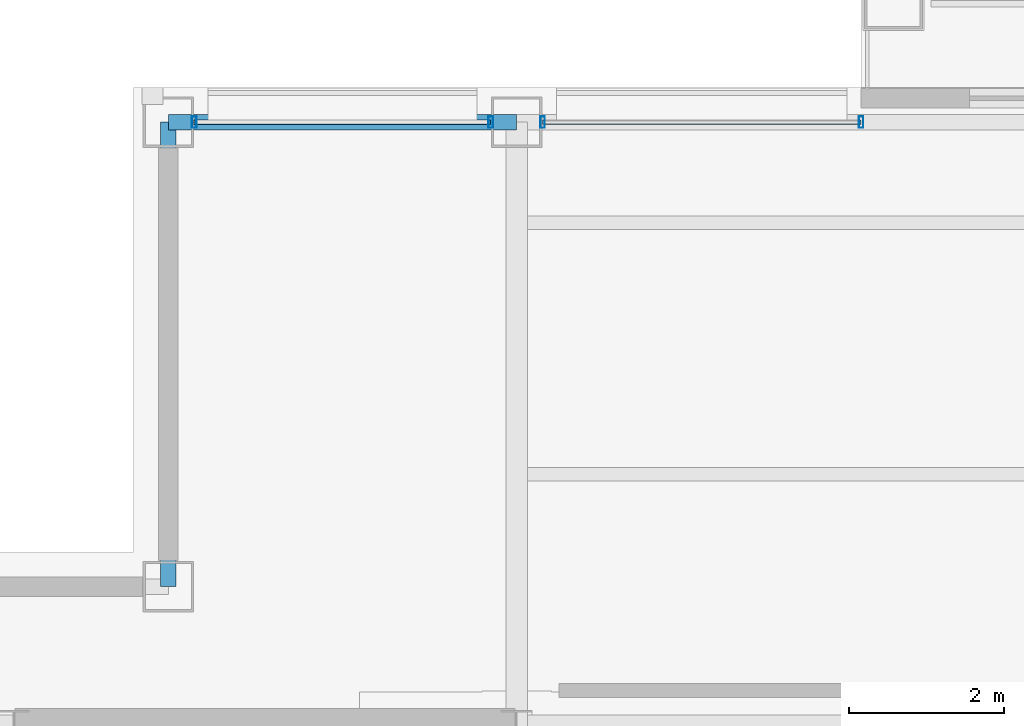
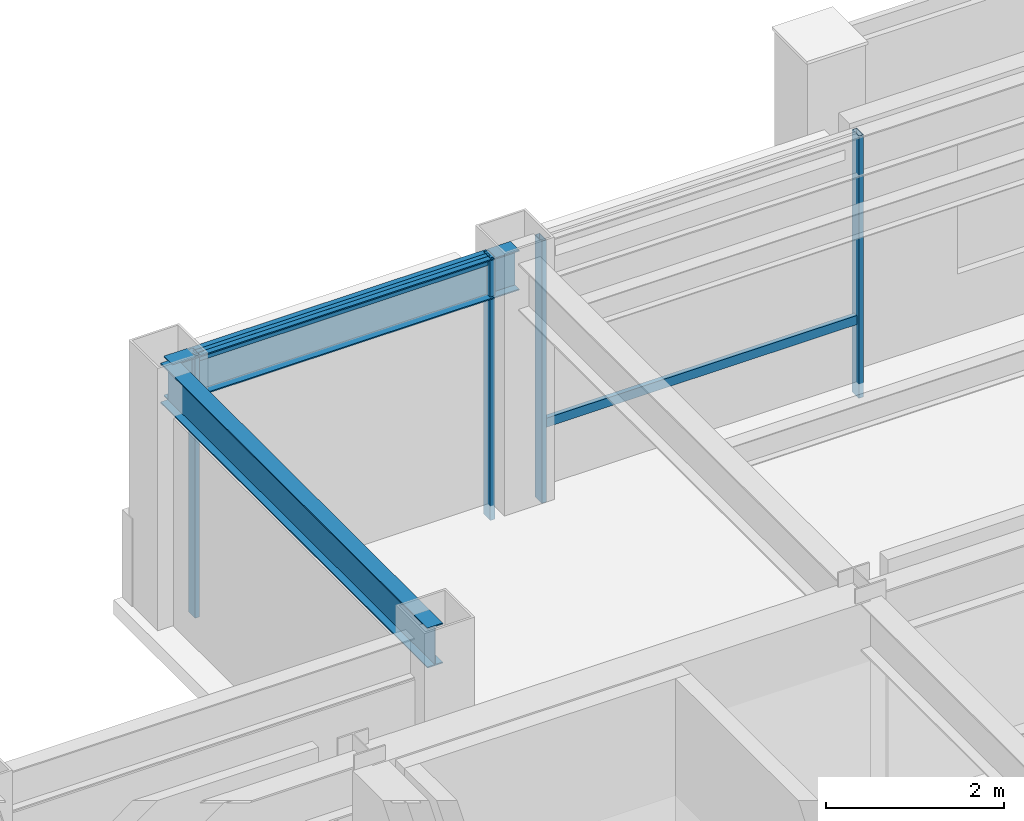
# One storey, part 14 of 24: 6 members, 2 beams, 2 elements without a shape of their own.
"""IFC4 building model written with IfcOpenShell, lengths in metres."""

from ifc_helpers import new_model, si_unit, direction, frame, origin, origin_2d, place, context, subcontext, project, spatial, hollow_rectangle, i_section, extrude, material, layer, layer_set, material_profile, profile_set, type_object, element, aggregate, save


model = new_model("IFC4")

# Units and contexts
model_context = context("Model", 3, precision=1e-05, world=origin(), true_north=direction((0.0, 1.0)))
body_context = subcontext(model_context, "Body", "Model", "MODEL_VIEW")
ifc_project = project(units=[si_unit("LENGTHUNIT", "METRE"), si_unit("AREAUNIT", "SQUARE_METRE"), si_unit("VOLUMEUNIT", "CUBIC_METRE"), si_unit("PLANEANGLEUNIT", "RADIAN"), si_unit("MASSUNIT", "GRAM", prefix="KILO")], contexts=[model_context])

# Site, building, storey
site_placement = place(None, origin())
site = spatial("IfcSite", under=ifc_project, at=site_placement, CompositionType="ELEMENT")
building_placement = place(site_placement, origin())
building = spatial("IfcBuilding", under=site, at=building_placement, Name="Brelmoor Portico Tower", CompositionType="ELEMENT")
storey_placement = place(building_placement, frame((0.0, 0.0, 229.199951171875)))
storey = spatial("IfcBuildingStorey", under=building, at=storey_placement, Name="L60", CompositionType="ELEMENT", Elevation=229.199951171875)

# Beams
ifc_material_1 = material(Name="Steel Q355B", Category="steel")
ifc_material_profile_1 = material_profile(ifc_material_1, i_section(OverallWidth=0.199951171875, OverallDepth=0.550048828125, WebThickness=0.010009765625, FlangeThickness=0.01611328125, at=origin_2d()), Name="HN 550x200x10x16")
ifc_profile_set_1 = profile_set([ifc_material_profile_1], Name="Steel Q355B")
beam_type = type_object("IfcBeamType", Name="BM-SP-550", PredefinedType="SPANDREL", material=ifc_profile_set_1)
beam_1_placement = place(storey_placement, frame((-12.550048828125, 17.550048828125, 3.125), z_axis=(1.0, 0.0, 0.0), x_axis=(0.0, 1.0, 0.0)))
element("IfcBeam", 1, at=beam_1_placement, inside=storey, type_object=beam_type, Name="L60 Perimeter Spandrel Beam SP-08", PredefinedType="SPANDREL", context=body_context, shape_type="SweptSolid", body=[
    extrude(i_section(OverallWidth=0.199951171875, OverallDepth=0.550048828125, WebThickness=0.010009765625, FlangeThickness=0.01611328125, at=origin_2d()), origin(), (0.0, 0.0, 1.0), 4.5),
])
beam_2_placement = place(storey_placement, frame((-12.550048828125, 11.550048828125, 3.125), z_axis=(0.0, 1.0, 0.0), x_axis=(-1.0, 0.0, 0.0)))
element("IfcBeam", 2, at=beam_2_placement, inside=storey, type_object=beam_type, Name="L60 Perimeter Spandrel Beam SP-15", PredefinedType="SPANDREL", context=body_context, shape_type="SweptSolid", body=[
    extrude(i_section(OverallWidth=0.199951171875, OverallDepth=0.550048828125, WebThickness=0.010009765625, FlangeThickness=0.01611328125, at=origin_2d()), origin(), (0.0, 0.0, 1.0), 6.0),
])

# Curtain wall, members
ifc_material_2 = material(Name="Anodised Aluminium Alloy 6063-T6", Category="aluminium")
ifc_layer_1 = layer(ifc_material_2, 0.179931640625)
ifc_layer_set_1 = layer_set([ifc_layer_1], Name="Anodised Aluminium Alloy 6063-T6")
curtain_wall_type_1 = type_object("IfcCurtainWallType", Name="CW-TOWER-Z4-XB", PredefinedType="NOTDEFINED", material=ifc_layer_set_1)
curtain_wall_1_placement = place(storey_placement, origin())
curtain_wall_1 = element("IfcCurtainWall", 3, at=curtain_wall_1_placement, inside=storey, type_object=curtain_wall_type_1, Name="L60 Curtain Wall CW-L60-2L-1", PredefinedType="NOTDEFINED")
ifc_material_profile_2 = material_profile(ifc_material_2, hollow_rectangle(XDim=0.06005859375, YDim=0.14990234375, WallThickness=0.00390625, at=origin_2d()), Name="ALU MULLION 60x150")
ifc_profile_set_2 = profile_set([ifc_material_profile_2], Name="Anodised Aluminium Alloy 6063-T6")
member_type_1 = type_object("IfcMemberType", Name="MB-CW-MULL-150", PredefinedType="MULLION", material=ifc_profile_set_2)
member_1_placement = place(storey_placement, frame((-12.215087890625, 17.550048828125, -0.199951171875), z_axis=(0.0, 0.0, 1.0), x_axis=(1.0, 0.0, 0.0)))
member_1 = element("IfcMember", 4, at=member_1_placement, type_object=member_type_1, Name="CW-L60-2L-1 Mullion 00", PredefinedType="MULLION", context=body_context, shape_type="SweptSolid", body=[
    extrude(hollow_rectangle(XDim=0.06005859375, YDim=0.14990234375, WallThickness=0.00390625, at=origin_2d()), origin(), (0.0, 0.0, 1.0), 3.60009765625),
])
member_2_placement = place(storey_placement, frame((-8.385009765625, 17.550048828125, -0.199951171875), z_axis=(0.0, 0.0, 1.0), x_axis=(1.0, 0.0, 0.0)))
member_2 = element("IfcMember", 5, at=member_2_placement, type_object=member_type_1, Name="CW-L60-2L-1 Mullion 01", PredefinedType="MULLION", context=body_context, shape_type="SweptSolid", body=[
    extrude(hollow_rectangle(XDim=0.06005859375, YDim=0.14990234375, WallThickness=0.00390625, at=origin_2d()), origin(), (0.0, 0.0, 1.0), 3.60009765625),
])

ifc_layer_2 = layer(ifc_material_2, 0.179931640625)
ifc_layer_set_2 = layer_set([ifc_layer_2], Name="Anodised Aluminium Alloy 6063-T6")
curtain_wall_type_2 = type_object("IfcCurtainWallType", Name="CW-TOWER-Z4", PredefinedType="NOTDEFINED", material=ifc_layer_set_2)
curtain_wall_2_placement = place(storey_placement, origin())
curtain_wall_2 = element("IfcCurtainWall", 6, at=curtain_wall_2_placement, inside=storey, type_object=curtain_wall_type_2, Name="L60 Curtain Wall CW-L60-2L-2", PredefinedType="NOTDEFINED")
member_3_placement = place(storey_placement, frame((-7.715087890625, 17.550048828125, -0.199951171875), z_axis=(0.0, 0.0, 1.0), x_axis=(1.0, 0.0, 0.0)))
member_3 = element("IfcMember", 7, at=member_3_placement, type_object=member_type_1, Name="CW-L60-2L-2 Mullion 00", PredefinedType="MULLION", context=body_context, shape_type="SweptSolid", body=[
    extrude(hollow_rectangle(XDim=0.06005859375, YDim=0.14990234375, WallThickness=0.00390625, at=origin_2d()), origin(), (0.0, 0.0, 1.0), 3.60009765625),
])
member_4_placement = place(storey_placement, frame((-3.60009765625, 17.550048828125, -0.199951171875), z_axis=(0.0, 0.0, 1.0), x_axis=(1.0, 0.0, 0.0)))
member_4 = element("IfcMember", 8, at=member_4_placement, type_object=member_type_1, Name="CW-L60-2L-2 Mullion 01", PredefinedType="MULLION", context=body_context, shape_type="SweptSolid", body=[
    extrude(hollow_rectangle(XDim=0.06005859375, YDim=0.14990234375, WallThickness=0.00390625, at=origin_2d()), origin(), (0.0, 0.0, 1.0), 3.60009765625),
])

# Member
ifc_material_profile_3 = material_profile(ifc_material_2, hollow_rectangle(XDim=0.06005859375, YDim=0.125, WallThickness=0.00341796875, at=origin_2d()), Name="ALU TRANSOM 60x125")
ifc_profile_set_3 = profile_set([ifc_material_profile_3], Name="Anodised Aluminium Alloy 6063-T6")
member_type_2 = type_object("IfcMemberType", Name="MB-CW-TRAN-125", PredefinedType="USERDEFINED", material=ifc_profile_set_3)
member_5_placement = place(storey_placement, frame((-12.215087890625, 17.550048828125, 3.337646484375), z_axis=(1.0, 0.0, 0.0), x_axis=(0.0, 1.0, 0.0)))
member_5 = element("IfcMember", 9, at=member_5_placement, type_object=member_type_2, Name="CW-L60-2L-1 Transom 1-00", ObjectType="TRANSOM", PredefinedType="USERDEFINED", context=body_context, shape_type="SweptSolid", body=[
    extrude(hollow_rectangle(XDim=0.06005859375, YDim=0.125, WallThickness=0.00341796875, at=origin_2d()), origin(), (0.0, 0.0, 1.0), 3.830078125),
])

aggregate(curtain_wall_1, [member_1, member_2, member_5])

member_6_placement = place(storey_placement, frame((-7.715087890625, 17.550048828125, 0.85009765625), z_axis=(1.0, 0.0, 0.0), x_axis=(0.0, 1.0, 0.0)))
member_6 = element("IfcMember", 10, at=member_6_placement, type_object=member_type_2, Name="CW-L60-2L-2 Transom 1-00", ObjectType="TRANSOM", PredefinedType="USERDEFINED", context=body_context, shape_type="SweptSolid", body=[
    extrude(hollow_rectangle(XDim=0.06005859375, YDim=0.125, WallThickness=0.00341796875, at=origin_2d()), origin(), (0.0, 0.0, 1.0), 4.114990234375),
])

aggregate(curtain_wall_2, [member_3, member_4, member_6])

save(model, "model.ifc")
